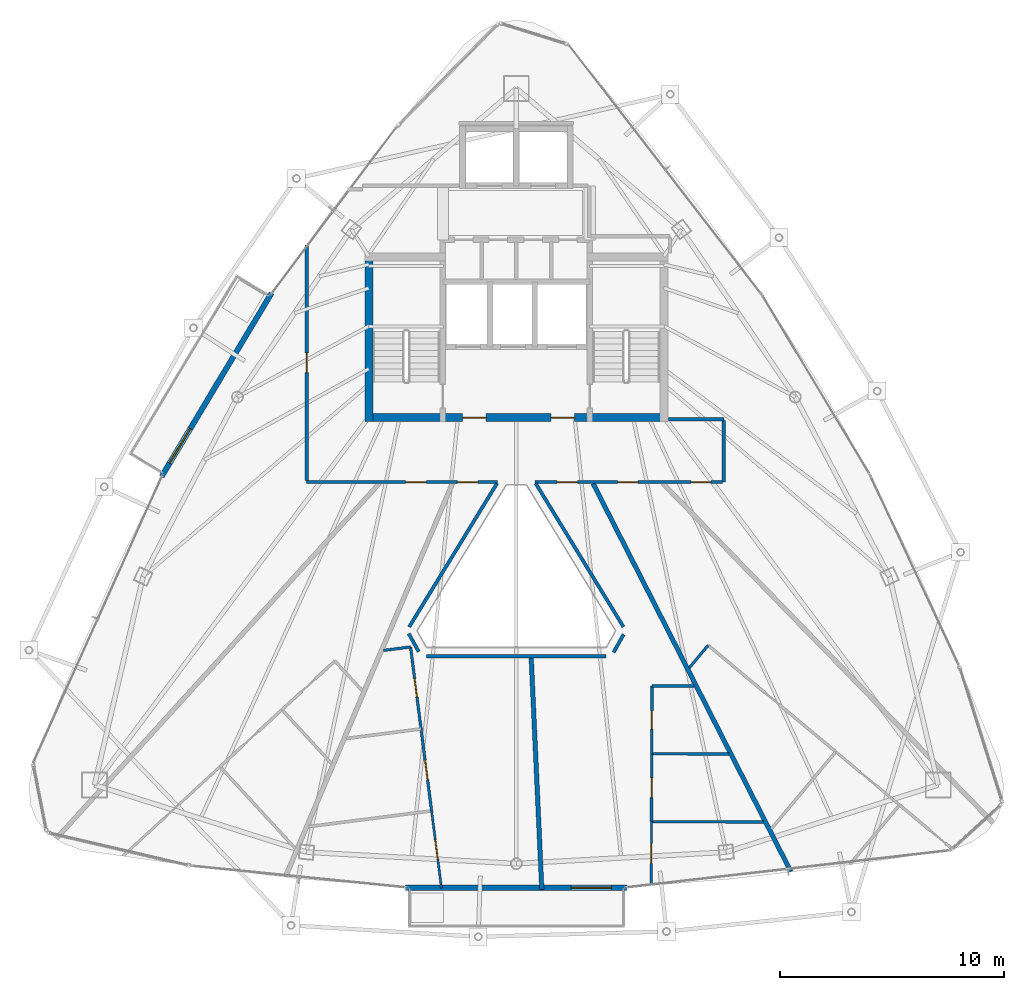
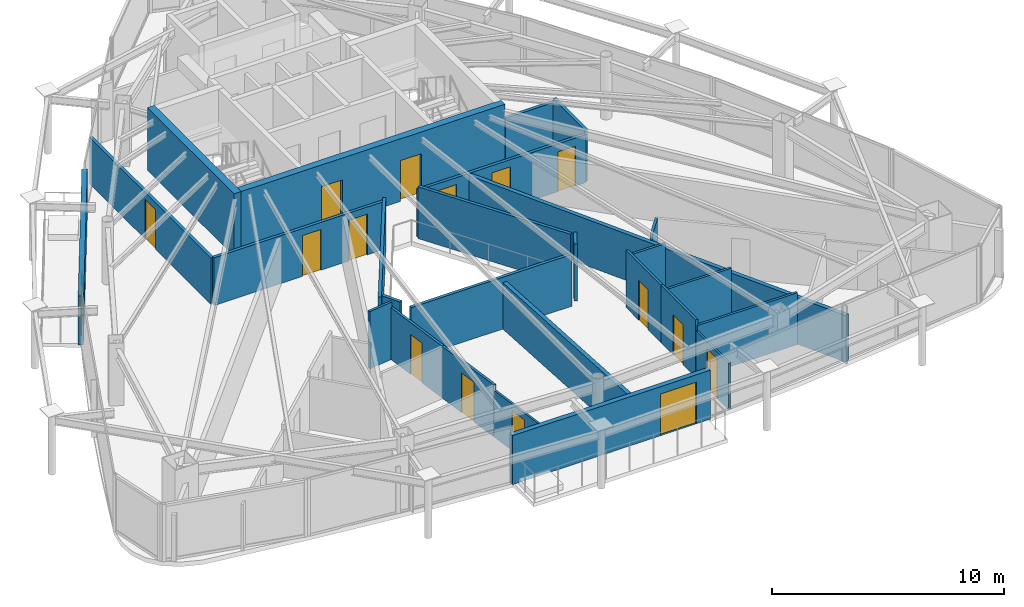
# One storey, part 26 of 30: 27 walls, 16 doors, 16 openings.
"""IFC4 building model written with IfcOpenShell, lengths in metres."""

import ifcopenshell
import ifcopenshell.guid

model = None  # the IFC model being written
_history = None  # IfcOwnerHistory: only IFC2X3 demands one
_inside = {}  # id of a spatial element -> (the spatial element, [elements in it])
_under = {}  # id of a project, library or spatial element -> (it, [spatial elements below it])
_declared = {}  # id of a project -> (the project, [libraries it declares])
_typed = {}  # id of a type object -> (the type object, [elements of that type])
_made_of = {}  # id of a material, layer set ... -> (it, [elements and type objects made of it])


def new_model(schema):
    """Start an empty IFC model of exactly this schema.

    Asked for "IFC4X3", IfcOpenShell would pick the latest addendum, in which some entities
    have other attributes; the version numbers below select the first issue.
    IFC2X3 requires an IfcOwnerHistory on every rooted entity: one is made here for all.
    """
    global model, _history
    if schema == "IFC4X3":
        model = ifcopenshell.file(schema_version=(4, 3, 0, 0))
    else:
        model = ifcopenshell.file(schema=schema)
    _inside.clear()
    _under.clear()
    _declared.clear()
    _typed.clear()
    _made_of.clear()
    _history = None
    if model.schema == "IFC2X3":
        org = make("IfcOrganization", Name="unknown")
        user = make(
            "IfcPersonAndOrganization",
            ThePerson=make("IfcPerson", FamilyName="unknown"),
            TheOrganization=org,
        )
        app = make(
            "IfcApplication",
            ApplicationDeveloper=org,
            Version="unknown",
            ApplicationFullName="unknown",
            ApplicationIdentifier="unknown",
        )
        _history = make(
            "IfcOwnerHistory",
            OwningUser=user,
            OwningApplication=app,
            ChangeAction="ADDED",
            CreationDate=0,
        )
    return model


def make(cls, **values):
    """One entity of the class cls with the attributes given. An attribute that is None is left unset."""
    return model.create_entity(
        cls, **{name: value for name, value in values.items() if value is not None}
    )


def rooted(cls, **values):
    """An entity with a GlobalId (a new one), such as an element, a storey or a relation."""
    return make(cls, GlobalId=ifcopenshell.guid.new(), OwnerHistory=_history, **values)


def si_unit(unit_type, name, prefix=None):
    """IfcSIUnit, for example si_unit("LENGTHUNIT", "METRE", prefix="MILLI")."""
    return make("IfcSIUnit", UnitType=unit_type, Prefix=prefix, Name=name)


def assignment(units):
    """IfcUnitAssignment: the units of a project."""
    return None if units is None else make("IfcUnitAssignment", Units=units)


def point(xyz):
    """IfcCartesianPoint."""
    return None if xyz is None else make("IfcCartesianPoint", Coordinates=xyz)


def direction(xyz):
    """IfcDirection."""
    return None if xyz is None else make("IfcDirection", DirectionRatios=xyz)


def frame(location, z_axis=None, x_axis=None):
    """IfcAxis2Placement3D, a coordinate frame: its origin and axes. An axis left out is left unset."""
    return make(
        "IfcAxis2Placement3D",
        Location=point(location),
        Axis=direction(z_axis),
        RefDirection=direction(x_axis),
    )


def frame_2d(location, x_axis=None):
    """IfcAxis2Placement2D, a coordinate frame in the plane: its origin and x axis."""
    return make(
        "IfcAxis2Placement2D", Location=point(location), RefDirection=direction(x_axis)
    )


def origin():
    """The frame at (0, 0, 0) with its axes left unset."""
    return frame((0.0, 0.0, 0.0))


def place(relative_to, where):
    """IfcLocalPlacement: puts the frame where relative to a parent placement (None: the world)."""
    return make(
        "IfcLocalPlacement", PlacementRelTo=relative_to, RelativePlacement=where
    )


def context(
    kind, dimensions, precision=None, world=None, true_north=None, identifier=None
):
    """IfcGeometricRepresentationContext, for example the 3D "Model" context."""
    return make(
        "IfcGeometricRepresentationContext",
        ContextIdentifier=identifier,
        ContextType=kind,
        CoordinateSpaceDimension=dimensions,
        Precision=precision,
        WorldCoordinateSystem=world,
        TrueNorth=true_north,
    )


def subcontext(parent, identifier, kind, view, scale=None):
    """IfcGeometricRepresentationSubContext, for example "Body" below "Model"."""
    return make(
        "IfcGeometricRepresentationSubContext",
        ContextIdentifier=identifier,
        ContextType=kind,
        ParentContext=parent,
        TargetScale=scale,
        TargetView=view,
    )


def project(units=None, contexts=None):
    """IfcProject with its units and contexts."""
    return rooted(
        "IfcProject",
        Name="project",
        RepresentationContexts=contexts,
        UnitsInContext=assignment(units),
    )


def spatial(cls, under=None, at=None, **own):
    """A site, building, storey or space (cls), placed at a placement, below another one or the project."""
    s = rooted(cls, ObjectPlacement=at, **own)
    if under is not None:
        _under.setdefault(under.id(), (under, []))[1].append(s)
    return s


def profile(cls, at=None, kind="AREA", **sizes):
    """A parametric profile (cls). Its sizes go by their IFC names, for example OverallWidth=200.0."""
    return make(cls, ProfileType=kind, Position=at, **sizes)


def rectangle(**sizes):
    """IfcRectangleProfileDef."""
    return profile("IfcRectangleProfileDef", **sizes)


def extrude(swept, where, along, depth):
    """IfcExtrudedAreaSolid: the profile swept, set in the frame where, extruded along a direction by depth."""
    return make(
        "IfcExtrudedAreaSolid",
        SweptArea=swept,
        Position=where,
        ExtrudedDirection=direction(along),
        Depth=depth,
    )


def shape(context_of_items, identifier, shape_type, items):
    """IfcShapeRepresentation: the items that make up one representation, for example the "Body"."""
    return make(
        "IfcShapeRepresentation",
        ContextOfItems=context_of_items,
        RepresentationIdentifier=identifier,
        RepresentationType=shape_type,
        Items=items,
    )


def material(Name=None, Category=None):
    """IfcMaterial."""
    return make("IfcMaterial", Name=Name, Category=Category)


def layer(
    of_material, thickness, ventilated=None, Name=None, Category=None, Priority=None
):
    """IfcMaterialLayer: one layer of a wall or slab, of a material (None: an air gap)."""
    return make(
        "IfcMaterialLayer",
        Material=of_material,
        LayerThickness=thickness,
        IsVentilated=ventilated,
        Name=Name,
        Category=Category,
        Priority=Priority,
    )


def layer_set(layers, Name=None):
    """IfcMaterialLayerSet."""
    return make("IfcMaterialLayerSet", MaterialLayers=layers, LayerSetName=Name)


def made_of(thing, what):
    """Note that an element or type object is made of a material, layer set ...; save() writes the relation."""
    if what is not None:
        _made_of.setdefault(what.id(), (what, []))[1].append(thing)
    return thing


def type_object(cls, material=None, **own):
    """A type object (cls), such as IfcWallType, which elements share."""
    return made_of(rooted(cls, **own), material)


def element(
    cls,
    number,
    at=None,
    inside=None,
    cuts=None,
    type_object=None,
    material=None,
    context=None,
    identifier="Body",
    shape_type=None,
    held_by="IfcProductDefinitionShape",
    body=None,
    shapes=None,
    **own,
):
    """One element of the class cls, such as IfcWall. Its Tag is "e" and its number.

    at: its placement. inside: the storey or other place that contains it. cuts: it is an
    opening in that element (IfcRelVoidsElement). A single representation is given by context,
    identifier, shape_type and body (its items); several are given by shapes. held_by: the class
    of the entity that holds the representations. save() writes the other relations.
    """
    e = rooted(cls, Tag="e%d" % number, ObjectPlacement=at, **own)
    if body is not None:
        shapes = [shape(context, identifier, shape_type, body)]
    if shapes is not None:
        e.Representation = make(held_by, Representations=shapes)
    if inside is not None:
        _inside.setdefault(inside.id(), (inside, []))[1].append(e)
    if cuts is not None:
        rooted(
            "IfcRelVoidsElement", RelatingBuildingElement=cuts, RelatedOpeningElement=e
        )
    if type_object is not None:
        _typed.setdefault(type_object.id(), (type_object, []))[1].append(e)
    return made_of(e, material)


def fill(opening, filler):
    """IfcRelFillsElement: the door or window that sits in an opening."""
    return rooted(
        "IfcRelFillsElement",
        RelatingOpeningElement=opening,
        RelatedBuildingElement=filler,
    )


def aggregate(whole, parts):
    """IfcRelAggregates: a whole, such as a stair, and the parts it consists of."""
    return rooted("IfcRelAggregates", RelatingObject=whole, RelatedObjects=parts)


def save(model, path):
    """Write the relations noted so far, then the file.

    IfcRelAggregates (storeys below a building ...), IfcRelContainedInSpatialStructure (elements
    in a storey), IfcRelDefinesByType, IfcRelAssociatesMaterial and IfcRelDeclares: one each for
    every whole, place, type object, material and project.
    """
    for whole, parts in _under.values():
        aggregate(whole, parts)
    for where, things in _inside.values():
        rooted(
            "IfcRelContainedInSpatialStructure",
            RelatedElements=things,
            RelatingStructure=where,
        )
    for kind, things in _typed.values():
        rooted("IfcRelDefinesByType", RelatedObjects=things, RelatingType=kind)
    for what, things in _made_of.values():
        rooted("IfcRelAssociatesMaterial", RelatedObjects=things, RelatingMaterial=what)
    for by, libraries in _declared.values():
        rooted("IfcRelDeclares", RelatingContext=by, RelatedDefinitions=libraries)
    model.write(path)


model = new_model("IFC4")

# Units and contexts
model_context = context("Model", 3, precision=1e-05, world=origin(), true_north=direction((0.0, 1.0)))
body_context = subcontext(model_context, "Body", "Model", "MODEL_VIEW")
ifc_project = project(units=[si_unit("LENGTHUNIT", "METRE"), si_unit("AREAUNIT", "SQUARE_METRE"), si_unit("VOLUMEUNIT", "CUBIC_METRE"), si_unit("PLANEANGLEUNIT", "RADIAN"), si_unit("MASSUNIT", "GRAM", prefix="KILO")], contexts=[model_context])

# Site, building, storey
site_placement = place(None, origin())
site = spatial("IfcSite", under=ifc_project, at=site_placement, CompositionType="ELEMENT")
building_placement = place(site_placement, origin())
building = spatial("IfcBuilding", under=site, at=building_placement, Name="Orvanel Arch Residences", CompositionType="ELEMENT")
storey_placement = place(building_placement, frame((0.0, 0.0, 273.35009765625)))
storey = spatial("IfcBuildingStorey", under=building, at=storey_placement, Name="L78", CompositionType="ELEMENT", Elevation=273.35009765625)

# Wall, opening, door
ifc_material_1 = material(Name="Precast concrete N50 (50 MPa)", Category="concrete")
ifc_layer_1 = layer(ifc_material_1, 0.239990234375)
ifc_layer_set_1 = layer_set([ifc_layer_1], Name="Precast concrete N50 (50 MPa)")
wall_type_1 = type_object("IfcWallType", Name="EW-BAL-240", PredefinedType="SOLIDWALL", material=ifc_layer_set_1)
wall_1_placement = place(storey_placement, frame((22.093994140625, 32.279052734375, 0.0), z_axis=(0.0, 0.0, 1.0), x_axis=(-0.514303866757, -0.857608029719, 0.0)))
wall_1 = element("IfcWall", 1, at=wall_1_placement, inside=storey, type_object=wall_type_1, Name="L78 Balcony Threshold Wall Face 1", PredefinedType="SOLIDWALL", context=body_context, shape_type="SweptSolid", body=[
    extrude(rectangle(XDim=9.54296875, YDim=0.239990234375, at=frame_2d((4.771484375, 0.0))), origin(), (0.0, 0.0, 1.0), 2.583984375),
])
opening_1_placement = place(wall_1_placement, frame((7.044921875, 0.0, 0.0)))
opening_1 = element("IfcOpeningElement", 2, at=opening_1_placement, cuts=wall_1, Name="Opening DB-180", PredefinedType="OPENING", context=body_context, shape_type="SweptSolid", body=[
    extrude(rectangle(XDim=1.800048828125, YDim=2.199951171875, at=frame_2d((0.89990234375, 1.10009765625))), frame((0.0, 0.1298828125, 0.0), z_axis=(0.0, -1.0, 0.0), x_axis=(1.0, 0.0, 0.0)), (0.0, 0.0, 1.0), 0.260009765625),
])
ifc_material_2 = material(Name="Bronze-anodised aluminium AA6063-T6", Category="aluminium")
door_type_1 = type_object("IfcDoorType", Name="DR-BAL-1800", OperationType="NOTDEFINED", PredefinedType="DOOR", material=ifc_material_2)
door_1_placement = place(opening_1_placement, origin())
door_1 = element("IfcDoor", 3, at=door_1_placement, inside=storey, type_object=door_type_1, Name="DR-L78-BAL-F1 L78 Planted Balcony Access Door Face 1", OperationType="SINGLE_SWING_LEFT", OverallHeight=2.199951171875, OverallWidth=1.800048828125, PredefinedType="DOOR", context=body_context, shape_type="SweptSolid", body=[
    extrude(rectangle(XDim=1.800048828125, YDim=2.199951171875, at=frame_2d((0.89990234375, 1.10009765625))), frame((0.0, 0.02490234375, 0.0), z_axis=(0.0, -1.0, 0.0), x_axis=(1.0, 0.0, 0.0)), (0.0, 0.0, 1.0), 0.050048828125),
])
fill(opening_1, door_1)

wall_2_placement = place(storey_placement, frame((28.06201171875, 5.77392578125, 0.0), z_axis=(0.0, 0.0, 1.0), x_axis=(1.0, 0.0, 0.0)))
wall_2 = element("IfcWall", 4, at=wall_2_placement, inside=storey, type_object=wall_type_1, Name="L78 Balcony Threshold Wall Face 2", PredefinedType="SOLIDWALL", context=body_context, shape_type="SweptSolid", body=[
    extrude(rectangle(XDim=9.8759765625, YDim=0.239990234375, at=frame_2d((4.93798828125, 0.0))), origin(), (0.0, 0.0, 1.0), 2.583984375),
])
opening_2_placement = place(wall_2_placement, frame((7.37890625, 0.0, 0.0)))
opening_2 = element("IfcOpeningElement", 5, at=opening_2_placement, cuts=wall_2, Name="Opening DB-180", PredefinedType="OPENING", context=body_context, shape_type="SweptSolid", body=[
    extrude(rectangle(XDim=1.800048828125, YDim=2.199951171875, at=frame_2d((0.89990234375, 1.10009765625))), frame((0.0, 0.1298828125, 0.0), z_axis=(0.0, -1.0, 0.0), x_axis=(1.0, 0.0, 0.0)), (0.0, 0.0, 1.0), 0.260009765625),
])
door_2_placement = place(opening_2_placement, origin())
door_2 = element("IfcDoor", 6, at=door_2_placement, inside=storey, type_object=door_type_1, Name="DR-L78-BAL-F2 L78 Planted Balcony Access Door Face 2", OperationType="SINGLE_SWING_RIGHT", OverallHeight=2.199951171875, OverallWidth=1.800048828125, PredefinedType="DOOR", context=body_context, shape_type="SweptSolid", body=[
    extrude(rectangle(XDim=1.800048828125, YDim=2.199951171875, at=frame_2d((0.89990234375, 1.10009765625))), frame((0.0, 0.02490234375, 0.0), z_axis=(0.0, -1.0, 0.0), x_axis=(1.0, 0.0, 0.0)), (0.0, 0.0, 1.0), 0.050048828125),
])
fill(opening_2, door_2)

# Wall, openings, doors
ifc_material_3 = material(Name="Concrete N50 (50 MPa)", Category="concrete")
ifc_layer_2 = layer(ifc_material_3, 0.35009765625)
ifc_layer_set_2 = layer_set([ifc_layer_2], Name="Concrete N50 (50 MPa)")
wall_type_2 = type_object("IfcWallType", Name="SW-CORE-350", PredefinedType="SHEAR", material=ifc_layer_set_2)
wall_3_placement = place(storey_placement, frame((26.25, 26.72509765625, 0.0), z_axis=(0.0, 0.0, 1.0), x_axis=(1.0, 0.0, 0.0)))
wall_3 = element("IfcWall", 7, at=wall_3_placement, inside=storey, type_object=wall_type_2, Name="L78 South Core Shear Wall", PredefinedType="SHEAR", context=body_context, shape_type="SweptSolid", body=[
    extrude(rectangle(XDim=13.5, YDim=0.35009765625, at=frame_2d((6.75, 0.0))), origin(), (0.0, 0.0, 1.0), 3.2998046875),
])
opening_3_placement = place(wall_3_placement, frame((4.35009765625, 0.0, 0.0)))
opening_3 = element("IfcOpeningElement", 8, at=opening_3_placement, cuts=wall_3, Name="Opening DF-060", PredefinedType="OPENING", context=body_context, shape_type="SweptSolid", body=[
    extrude(rectangle(XDim=1.050048828125, YDim=2.14990234375, at=frame_2d((0.52490234375, 1.074951171875))), frame((0.0, 0.18505859375, 0.0), z_axis=(0.0, -1.0, 0.0), x_axis=(1.0, 0.0, 0.0)), (0.0, 0.0, 1.0), 0.3701171875),
])
opening_4_placement = place(wall_3_placement, frame((8.300048828125, 0.0, 0.0)))
opening_4 = element("IfcOpeningElement", 9, at=opening_4_placement, cuts=wall_3, Name="Opening DF-060", PredefinedType="OPENING", context=body_context, shape_type="SweptSolid", body=[
    extrude(rectangle(XDim=1.050048828125, YDim=2.14990234375, at=frame_2d((0.52490234375, 1.074951171875))), frame((0.0, 0.18505859375, 0.0), z_axis=(0.0, -1.0, 0.0), x_axis=(1.0, 0.0, 0.0)), (0.0, 0.0, 1.0), 0.3701171875),
])
ifc_material_4 = material(Name="Galvanised steel fire-resisting door assembly", Category="steel")
door_type_2 = type_object("IfcDoorType", Name="DR-FD60-1050", OperationType="NOTDEFINED", PredefinedType="DOOR", material=ifc_material_4)
door_3_placement = place(opening_3_placement, origin())
door_3 = element("IfcDoor", 10, at=door_3_placement, inside=storey, type_object=door_type_2, Name="DR-L78-FFL-W L78 West Smoke Lobby Door", OperationType="SINGLE_SWING_LEFT", OverallHeight=2.14990234375, OverallWidth=1.050048828125, PredefinedType="DOOR", context=body_context, shape_type="SweptSolid", body=[
    extrude(rectangle(XDim=1.050048828125, YDim=2.14990234375, at=frame_2d((0.52490234375, 1.074951171875))), frame((0.0, 0.02490234375, 0.0), z_axis=(0.0, -1.0, 0.0), x_axis=(1.0, 0.0, 0.0)), (0.0, 0.0, 1.0), 0.050048828125),
])
fill(opening_3, door_3)
door_4_placement = place(opening_4_placement, origin())
door_4 = element("IfcDoor", 11, at=door_4_placement, inside=storey, type_object=door_type_2, Name="DR-L78-FFL-E L78 East Smoke Lobby Door", OperationType="SINGLE_SWING_RIGHT", OverallHeight=2.14990234375, OverallWidth=1.050048828125, PredefinedType="DOOR", context=body_context, shape_type="SweptSolid", body=[
    extrude(rectangle(XDim=1.050048828125, YDim=2.14990234375, at=frame_2d((0.52490234375, 1.074951171875))), frame((0.0, 0.02490234375, 0.0), z_axis=(0.0, -1.0, 0.0), x_axis=(1.0, 0.0, 0.0)), (0.0, 0.0, 1.0), 0.050048828125),
])
fill(opening_4, door_4)

# Wall
wall_4_placement = place(storey_placement, frame((26.425048828125, 26.550048828125, 0.0), z_axis=(0.0, 0.0, 1.0), x_axis=(0.0, 1.0, 0.0)))
element("IfcWall", 12, at=wall_4_placement, inside=storey, type_object=wall_type_2, Name="L78 West Stair Shear Wall", PredefinedType="SHEAR", context=body_context, shape_type="SweptSolid", body=[
    extrude(rectangle(XDim=7.5, YDim=0.35009765625, at=frame_2d((3.75, 0.0))), origin(), (0.0, 0.0, 1.0), 3.2998046875),
])

# Wall, openings, doors
ifc_material_5 = material(Name="Fire-rated plasterboard lined steel stud partition", Category="steel")
ifc_layer_3 = layer(ifc_material_5, 0.14990234375)
ifc_layer_set_3 = layer_set([ifc_layer_3], Name="Fire-rated plasterboard lined steel stud partition")
wall_type_3 = type_object("IfcWallType", Name="W-COR-150", PredefinedType="PARTITIONING", material=ifc_layer_set_3)
wall_5_placement = place(storey_placement, frame((32.16796875, 23.85009765625, 0.0), z_axis=(0.0, 0.0, 1.0), x_axis=(-1.0, 0.0, 0.0)))
wall_5 = element("IfcWall", 13, at=wall_5_placement, inside=storey, type_object=wall_type_3, Name="L78 Corridor Fire-Rated Partition", PredefinedType="PARTITIONING", context=body_context, shape_type="SweptSolid", body=[
    extrude(rectangle(XDim=8.51806640625, YDim=0.14990234375, at=frame_2d((4.259033203125, 0.0))), origin(), (0.0, 0.0, 1.0), 2.52490234375),
])
opening_5_placement = place(wall_5_placement, frame((3.18310546875, 0.0, 0.0)))
opening_5 = element("IfcOpeningElement", 14, at=opening_5_placement, cuts=wall_5, Name="Opening DA-092", PredefinedType="OPENING", context=body_context, shape_type="SweptSolid", body=[
    extrude(rectangle(XDim=0.919921875, YDim=2.14990234375, at=frame_2d((0.4599609375, 1.074951171875))), frame((0.0, 0.0849609375, 0.0), z_axis=(0.0, -1.0, 0.0), x_axis=(1.0, 0.0, 0.0)), (0.0, 0.0, 1.0), 0.169921875),
])
opening_6_placement = place(wall_5_placement, frame((0.882080078125, 0.0, 0.0)))
opening_6 = element("IfcOpeningElement", 15, at=opening_6_placement, cuts=wall_5, Name="Opening DA-092", PredefinedType="OPENING", context=body_context, shape_type="SweptSolid", body=[
    extrude(rectangle(XDim=0.919921875, YDim=2.14990234375, at=frame_2d((0.4599609375, 1.074951171875))), frame((0.0, 0.0849609375, 0.0), z_axis=(0.0, -1.0, 0.0), x_axis=(1.0, 0.0, 0.0)), (0.0, 0.0, 1.0), 0.169921875),
])
ifc_material_6 = material(Name="Solid-core European oak veneer fire door leaf", Category="wood")
door_type_3 = type_object("IfcDoorType", Name="DR-APT-920", OperationType="NOTDEFINED", PredefinedType="DOOR", material=ifc_material_6)
door_5_placement = place(opening_5_placement, origin())
door_5 = element("IfcDoor", 16, at=door_5_placement, inside=storey, type_object=door_type_3, Name="DR-L78-A-ENT L78 Studio A Entrance Door", OperationType="SINGLE_SWING_RIGHT", OverallHeight=2.14990234375, OverallWidth=0.919921875, PredefinedType="DOOR", context=body_context, shape_type="SweptSolid", body=[
    extrude(rectangle(XDim=0.919921875, YDim=2.14990234375, at=frame_2d((0.4599609375, 1.074951171875))), frame((0.0, 0.02490234375, 0.0), z_axis=(0.0, -1.0, 0.0), x_axis=(1.0, 0.0, 0.0)), (0.0, 0.0, 1.0), 0.050048828125),
])
fill(opening_5, door_5)
door_6_placement = place(opening_6_placement, origin())
door_6 = element("IfcDoor", 17, at=door_6_placement, inside=storey, type_object=door_type_3, Name="DR-L78-D-ENT L78 Studio D Entrance Door", OperationType="SINGLE_SWING_LEFT", OverallHeight=2.14990234375, OverallWidth=0.919921875, PredefinedType="DOOR", context=body_context, shape_type="SweptSolid", body=[
    extrude(rectangle(XDim=0.919921875, YDim=2.14990234375, at=frame_2d((0.4599609375, 1.074951171875))), frame((0.0, 0.02490234375, 0.0), z_axis=(0.0, -1.0, 0.0), x_axis=(1.0, 0.0, 0.0)), (0.0, 0.0, 1.0), 0.050048828125),
])
fill(opening_6, door_6)

# Wall, opening, door
wall_6_placement = place(storey_placement, frame((23.64990234375, 23.909912109375, 0.0), z_axis=(0.0, 0.0, 1.0), x_axis=(0.0, 1.0, 0.0)))
wall_6 = element("IfcWall", 18, at=wall_6_placement, inside=storey, type_object=wall_type_3, Name="L78 Corridor Fire-Rated Partition", PredefinedType="PARTITIONING", context=body_context, shape_type="SweptSolid", body=[
    extrude(rectangle(XDim=10.509033203125, YDim=0.14990234375, at=frame_2d((5.25439453125, 0.0))), origin(), (0.0, 0.0, 1.0), 2.451904296875),
])
opening_7_placement = place(wall_6_placement, frame((4.81396484375, 0.0, 0.0)))
opening_7 = element("IfcOpeningElement", 19, at=opening_7_placement, cuts=wall_6, Name="Opening DI-088", PredefinedType="OPENING", context=body_context, shape_type="SweptSolid", body=[
    extrude(rectangle(XDim=0.8798828125, YDim=2.10009765625, at=frame_2d((0.43994140625, 1.050048828125))), frame((0.0, 0.0849609375, 0.0), z_axis=(0.0, -1.0, 0.0), x_axis=(1.0, 0.0, 0.0)), (0.0, 0.0, 1.0), 0.169921875),
])
door_type_4 = type_object("IfcDoorType", Name="DR-INT-880", OperationType="NOTDEFINED", PredefinedType="DOOR", material=ifc_material_6)
door_7_placement = place(opening_7_placement, origin())
door_7 = element("IfcDoor", 20, at=door_7_placement, inside=storey, type_object=door_type_4, Name="DR-L78-CAR26-2 L78 Allied Health Consulting Suite 2 Door", OperationType="SINGLE_SWING_LEFT", OverallHeight=2.10009765625, OverallWidth=0.8798828125, PredefinedType="DOOR", context=body_context, shape_type="SweptSolid", body=[
    extrude(rectangle(XDim=0.8798828125, YDim=2.10009765625, at=frame_2d((0.43994140625, 1.050048828125))), frame((0.0, 0.02490234375, 0.0), z_axis=(0.0, -1.0, 0.0), x_axis=(1.0, 0.0, 0.0)), (0.0, 0.0, 1.0), 0.050048828125),
])
fill(opening_7, door_7)

# Walls
wall_7_placement = place(storey_placement, frame((39.7900390625, 26.64990234375, 0.0), z_axis=(0.0, 0.0, 1.0), x_axis=(1.0, 0.0, 0.0)))
element("IfcWall", 21, at=wall_7_placement, inside=storey, type_object=wall_type_3, Name="L78 Corridor Fire-Rated Partition", PredefinedType="PARTITIONING", context=body_context, shape_type="SweptSolid", body=[
    extrude(rectangle(XDim=2.4599609375, YDim=0.14990234375, at=frame_2d((1.22998046875, 0.0))), origin(), (0.0, 0.0, 1.0), 2.52490234375),
])
wall_8_placement = place(storey_placement, frame((42.25, 26.590087890625, 0.0), z_axis=(0.0, 0.0, 1.0), x_axis=(0.0, -1.0, 0.0)))
element("IfcWall", 22, at=wall_8_placement, inside=storey, type_object=wall_type_3, Name="L78 Corridor Fire-Rated Partition", PredefinedType="PARTITIONING", context=body_context, shape_type="SweptSolid", body=[
    extrude(rectangle(XDim=2.739990234375, YDim=0.14990234375, at=frame_2d((1.3701171875, 0.0))), origin(), (0.0, 0.0, 1.0), 2.73291015625),
])

# Wall, openings, doors
wall_9_placement = place(storey_placement, frame((42.18994140625, 23.85009765625, 0.0), z_axis=(0.0, 0.0, 1.0), x_axis=(-1.0, 0.0, 0.0)))
wall_9 = element("IfcWall", 23, at=wall_9_placement, inside=storey, type_object=wall_type_3, Name="L78 Corridor Fire-Rated Partition", PredefinedType="PARTITIONING", context=body_context, shape_type="SweptSolid", body=[
    extrude(rectangle(XDim=8.35791015625, YDim=0.14990234375, at=frame_2d((4.178955078125, 0.0))), origin(), (0.0, 0.0, 1.0), 2.52490234375),
])
opening_8_placement = place(wall_9_placement, frame((0.52001953125, 0.0, 0.0)))
opening_8 = element("IfcOpeningElement", 24, at=opening_8_placement, cuts=wall_9, Name="Opening DI-088", PredefinedType="OPENING", context=body_context, shape_type="SweptSolid", body=[
    extrude(rectangle(XDim=0.8798828125, YDim=2.10009765625, at=frame_2d((0.43994140625, 1.050048828125))), frame((0.0, 0.0849609375, 0.0), z_axis=(0.0, -1.0, 0.0), x_axis=(1.0, 0.0, 0.0)), (0.0, 0.0, 1.0), 0.169921875),
])
opening_9_placement = place(wall_9_placement, frame((3.757080078125, 0.0, 0.0)))
opening_9 = element("IfcOpeningElement", 25, at=opening_9_placement, cuts=wall_9, Name="Opening DA-092", PredefinedType="OPENING", context=body_context, shape_type="SweptSolid", body=[
    extrude(rectangle(XDim=0.919921875, YDim=2.14990234375, at=frame_2d((0.4599609375, 1.074951171875))), frame((0.0, 0.0849609375, 0.0), z_axis=(0.0, -1.0, 0.0), x_axis=(1.0, 0.0, 0.0)), (0.0, 0.0, 1.0), 0.169921875),
])
opening_10_placement = place(wall_9_placement, frame((6.4560546875, 0.0, 0.0)))
opening_10 = element("IfcOpeningElement", 26, at=opening_10_placement, cuts=wall_9, Name="Opening DA-092", PredefinedType="OPENING", context=body_context, shape_type="SweptSolid", body=[
    extrude(rectangle(XDim=0.919921875, YDim=2.14990234375, at=frame_2d((0.4599609375, 1.074951171875))), frame((0.0, 0.0849609375, 0.0), z_axis=(0.0, -1.0, 0.0), x_axis=(1.0, 0.0, 0.0)), (0.0, 0.0, 1.0), 0.169921875),
])
door_8_placement = place(opening_9_placement, origin())
door_8 = element("IfcDoor", 27, at=door_8_placement, inside=storey, type_object=door_type_3, Name="DR-L78-B-ENT L78 Studio B Entrance Door", OperationType="SINGLE_SWING_LEFT", OverallHeight=2.14990234375, OverallWidth=0.919921875, PredefinedType="DOOR", context=body_context, shape_type="SweptSolid", body=[
    extrude(rectangle(XDim=0.919921875, YDim=2.14990234375, at=frame_2d((0.4599609375, 1.074951171875))), frame((0.0, 0.02490234375, 0.0), z_axis=(0.0, -1.0, 0.0), x_axis=(1.0, 0.0, 0.0)), (0.0, 0.0, 1.0), 0.050048828125),
])
fill(opening_9, door_8)
door_9_placement = place(opening_10_placement, origin())
door_9 = element("IfcDoor", 28, at=door_9_placement, inside=storey, type_object=door_type_3, Name="DR-L78-C-ENT L78 Studio C Entrance Door", OperationType="SINGLE_SWING_RIGHT", OverallHeight=2.14990234375, OverallWidth=0.919921875, PredefinedType="DOOR", context=body_context, shape_type="SweptSolid", body=[
    extrude(rectangle(XDim=0.919921875, YDim=2.14990234375, at=frame_2d((0.4599609375, 1.074951171875))), frame((0.0, 0.02490234375, 0.0), z_axis=(0.0, -1.0, 0.0), x_axis=(1.0, 0.0, 0.0)), (0.0, 0.0, 1.0), 0.050048828125),
])
fill(opening_10, door_9)
door_10_placement = place(opening_8_placement, origin())
door_10 = element("IfcDoor", 29, at=door_10_placement, inside=storey, type_object=door_type_4, Name="DR-L78-CAR26-1 L78 Allied Health Consulting Suite 1 Door", OperationType="SINGLE_SWING_LEFT", OverallHeight=2.10009765625, OverallWidth=0.8798828125, PredefinedType="DOOR", context=body_context, shape_type="SweptSolid", body=[
    extrude(rectangle(XDim=0.8798828125, YDim=2.10009765625, at=frame_2d((0.43994140625, 1.050048828125))), frame((0.0, 0.02490234375, 0.0), z_axis=(0.0, -1.0, 0.0), x_axis=(1.0, 0.0, 0.0)), (0.0, 0.0, 1.0), 0.050048828125),
])
fill(opening_8, door_10)

# Walls
wall_10_placement = place(storey_placement, frame((33.863037109375, 23.7900390625, 0.0), z_axis=(0.0, 0.0, 1.0), x_axis=(0.521913594497, -0.852998358661, 0.0)))
element("IfcWall", 30, at=wall_10_placement, inside=storey, type_object=wall_type_3, Name="L78 Atrium Overlook Glazed Partition", PredefinedType="PARTITIONING", context=body_context, shape_type="SweptSolid", body=[
    extrude(rectangle(XDim=7.4970703125, YDim=0.14990234375, at=frame_2d((3.74853515625, 0.0))), origin(), (0.0, 0.0, 1.0), 2.73291015625),
])
wall_11_placement = place(storey_placement, frame((37.781982421875, 17.05908203125, 0.0), z_axis=(0.0, 0.0, 1.0), x_axis=(-0.489033415255, -0.872265050752, 0.0)))
element("IfcWall", 31, at=wall_11_placement, inside=storey, type_object=wall_type_3, Name="L78 Atrium Overlook Glazed Partition", PredefinedType="PARTITIONING", context=body_context, shape_type="SweptSolid", body=[
    extrude(rectangle(XDim=0.916015625, YDim=0.14990234375, at=frame_2d((0.4580078125, 0.0))), origin(), (0.0, 0.0, 1.0), 3.02001953125),
])
wall_12_placement = place(storey_placement, frame((37.006103515625, 16.087890625, 0.0), z_axis=(0.0, 0.0, 1.0), x_axis=(-1.0, 0.0, 0.0)))
element("IfcWall", 32, at=wall_12_placement, inside=storey, type_object=wall_type_3, Name="L78 Atrium Overlook Glazed Partition", PredefinedType="PARTITIONING", context=body_context, shape_type="SweptSolid", body=[
    extrude(rectangle(XDim=8.01220703125, YDim=0.14990234375, at=frame_2d((4.006103515625, 0.0))), origin(), (0.0, 0.0, 1.0), 2.73291015625),
])
wall_13_placement = place(storey_placement, frame((28.64599609375, 16.2919921875, 0.0), z_axis=(0.0, 0.0, 1.0), x_axis=(-0.482133469033, 0.876097778811, 0.0)))
element("IfcWall", 33, at=wall_13_placement, inside=storey, type_object=wall_type_3, Name="L78 Atrium Overlook Glazed Partition", PredefinedType="PARTITIONING", context=body_context, shape_type="SweptSolid", body=[
    extrude(rectangle(XDim=0.91650390625, YDim=0.14990234375, at=frame_2d((0.458251953125, 0.0))), origin(), (0.0, 0.0, 1.0), 3.02001953125),
])
wall_14_placement = place(storey_placement, frame((28.22412109375, 17.39501953125, 0.0), z_axis=(0.0, 0.0, 1.0), x_axis=(0.521913594497, 0.852998358661, 0.0)))
element("IfcWall", 34, at=wall_14_placement, inside=storey, type_object=wall_type_3, Name="L78 Atrium Overlook Glazed Partition", PredefinedType="PARTITIONING", context=body_context, shape_type="SweptSolid", body=[
    extrude(rectangle(XDim=7.4970703125, YDim=0.14990234375, at=frame_2d((3.74853515625, 0.0))), origin(), (0.0, 0.0, 1.0), 2.73291015625),
])
ifc_layer_4 = layer(ifc_material_5, 0.199951171875)
ifc_layer_set_4 = layer_set([ifc_layer_4], Name="Fire-rated plasterboard lined steel stud partition")
wall_type_4 = type_object("IfcWallType", Name="W-DEM-200", PredefinedType="PARTITIONING", material=ifc_layer_set_4)
wall_15_placement = place(storey_placement, frame((45.236083984375, 6.486083984375, 0.0), z_axis=(0.0, 0.0, 1.0), x_axis=(-0.454004119661, 0.890999584361, 0.0)))
element("IfcWall", 35, at=wall_15_placement, inside=storey, type_object=wall_type_4, Name="L78 Inter-Tenancy Acoustic Demising Wall", PredefinedType="PARTITIONING", context=body_context, shape_type="SweptSolid", body=[
    extrude(rectangle(XDim=19.4208984375, YDim=0.199951171875, at=frame_2d((9.71044921875, 0.0))), origin(), (0.0, 0.0, 1.0), 2.451904296875),
])
wall_16_placement = place(storey_placement, frame((34.135009765625, 5.68408203125, 0.0), z_axis=(0.0, 0.0, 1.0), x_axis=(-0.045669685987, 0.998956595545, 0.0)))
element("IfcWall", 36, at=wall_16_placement, inside=storey, type_object=wall_type_4, Name="L78 Inter-Tenancy Acoustic Demising Wall", PredefinedType="PARTITIONING", context=body_context, shape_type="SweptSolid", body=[
    extrude(rectangle(XDim=10.354736328125, YDim=0.199951171875, at=frame_2d((5.17724609375, 0.0))), origin(), (0.0, 0.0, 1.0), 2.451904296875),
])

# Wall, opening, door
ifc_material_7 = material(Name="Acoustic plasterboard lined twin-stud partition", Category="gypsum")
ifc_layer_5 = layer(ifc_material_7, 0.10009765625)
ifc_layer_set_5 = layer_set([ifc_layer_5], Name="Acoustic plasterboard lined twin-stud partition")
wall_type_5 = type_object("IfcWallType", Name="W-INT-100", PredefinedType="PARTITIONING", material=ifc_layer_set_5)
wall_17_placement = place(storey_placement, frame((39.02392578125, 8.715087890625, 0.0), z_axis=(0.0, 0.0, 1.0), x_axis=(-0.003534460681, -0.999993753774, 0.0)))
wall_17 = element("IfcWall", 37, at=wall_17_placement, inside=storey, type_object=wall_type_5, Name="L78 Studio C Internal Partition", PredefinedType="PARTITIONING", context=body_context, shape_type="SweptSolid", body=[
    extrude(rectangle(XDim=2.83203125, YDim=0.10009765625, at=frame_2d((1.416015625, 0.0))), origin(), (0.0, 0.0, 1.0), 2.451904296875),
])
opening_11_placement = place(wall_17_placement, frame((0.97607421875, 0.0, 0.0)))
opening_11 = element("IfcOpeningElement", 38, at=opening_11_placement, cuts=wall_17, Name="Opening DI-088", PredefinedType="OPENING", context=body_context, shape_type="SweptSolid", body=[
    extrude(rectangle(XDim=0.8798828125, YDim=2.10009765625, at=frame_2d((0.43994140625, 1.050048828125))), frame((0.0, 0.06005859375, 0.0), z_axis=(0.0, -1.0, 0.0), x_axis=(1.0, 0.0, 0.0)), (0.0, 0.0, 1.0), 0.1201171875),
])
door_11_placement = place(opening_11_placement, origin())
door_11 = element("IfcDoor", 39, at=door_11_placement, inside=storey, type_object=door_type_4, Name="DR-L78-C-RET1 L78 Studio C Atelier Craft Showroom 1 Door", OperationType="SINGLE_SWING_LEFT", OverallHeight=2.10009765625, OverallWidth=0.8798828125, PredefinedType="DOOR", context=body_context, shape_type="SweptSolid", body=[
    extrude(rectangle(XDim=0.8798828125, YDim=2.10009765625, at=frame_2d((0.43994140625, 1.050048828125))), frame((0.0, 0.02490234375, 0.0), z_axis=(0.0, -1.0, 0.0), x_axis=(1.0, 0.0, 0.0)), (0.0, 0.0, 1.0), 0.050048828125),
])
fill(opening_11, door_11)

wall_18_placement = place(storey_placement, frame((29.6640625, 5.74609375, 0.0), z_axis=(0.0, 0.0, 1.0), x_axis=(-0.127153688826, 0.991883027084, 0.0)))
wall_18 = element("IfcWall", 40, at=wall_18_placement, inside=storey, type_object=wall_type_5, Name="L78 Studio D Internal Partition", PredefinedType="PARTITIONING", context=body_context, shape_type="SweptSolid", body=[
    extrude(rectangle(XDim=3.477294921875, YDim=0.10009765625, at=frame_2d((1.73876953125, 0.0))), origin(), (0.0, 0.0, 1.0), 2.451904296875),
])
opening_12_placement = place(wall_18_placement, frame((1.299072265625, 0.0, 0.0)))
opening_12 = element("IfcOpeningElement", 41, at=opening_12_placement, cuts=wall_18, Name="Opening DI-088", PredefinedType="OPENING", context=body_context, shape_type="SweptSolid", body=[
    extrude(rectangle(XDim=0.8798828125, YDim=2.10009765625, at=frame_2d((0.43994140625, 1.050048828125))), frame((0.0, 0.06005859375, 0.0), z_axis=(0.0, -1.0, 0.0), x_axis=(1.0, 0.0, 0.0)), (0.0, 0.0, 1.0), 0.1201171875),
])
door_12_placement = place(opening_12_placement, origin())
door_12 = element("IfcDoor", 42, at=door_12_placement, inside=storey, type_object=door_type_4, Name="DR-L78-D-RET1 L78 Studio D Atelier Craft Showroom 2 Door", OperationType="SINGLE_SWING_LEFT", OverallHeight=2.10009765625, OverallWidth=0.8798828125, PredefinedType="DOOR", context=body_context, shape_type="SweptSolid", body=[
    extrude(rectangle(XDim=0.8798828125, YDim=2.10009765625, at=frame_2d((0.43994140625, 1.050048828125))), frame((0.0, 0.02490234375, 0.0), z_axis=(0.0, -1.0, 0.0), x_axis=(1.0, 0.0, 0.0)), (0.0, 0.0, 1.0), 0.050048828125),
])
fill(opening_12, door_12)

# Walls
ifc_layer_6 = layer(ifc_material_7, 0.1201171875)
ifc_layer_set_6 = layer_set([ifc_layer_6], Name="Acoustic plasterboard lined twin-stud partition")
wall_type_6 = type_object("IfcWallType", Name="W-WET-120", PredefinedType="PARTITIONING", material=ifc_layer_set_6)
wall_19_placement = place(storey_placement, frame((41.549072265625, 16.575927734375, 0.0), z_axis=(0.0, 0.0, 1.0), x_axis=(-0.640858814593, -0.767658765181, 0.0)))
element("IfcWall", 43, at=wall_19_placement, inside=storey, type_object=wall_type_6, Name="L78 Studio B Bathroom Partition", PredefinedType="PARTITIONING", context=body_context, shape_type="SweptSolid", body=[
    extrude(rectangle(XDim=1.31689453125, YDim=0.1201171875, at=frame_2d((0.658447265625, 0.0))), origin(), (0.0, 0.0, 1.0), 2.73291015625),
])
wall_20_placement = place(storey_placement, frame((40.926025390625, 14.757080078125, 0.0), z_axis=(0.0, 0.0, 1.0), x_axis=(-0.999993390212, 0.00363586741, 0.0)))
element("IfcWall", 44, at=wall_20_placement, inside=storey, type_object=wall_type_6, Name="L78 Studio C Bathroom Partition", PredefinedType="PARTITIONING", context=body_context, shape_type="SweptSolid", body=[
    extrude(rectangle(XDim=1.880126953125, YDim=0.1201171875, at=frame_2d((0.93994140625, 0.0))), origin(), (0.0, 0.0, 1.0), 2.73291015625),
])

# Wall, opening, door
wall_21_placement = place(storey_placement, frame((39.0458984375, 14.763916015625, 0.0), z_axis=(0.0, 0.0, 1.0), x_axis=(-0.003633110206, -0.999993400233, 0.0)))
wall_21 = element("IfcWall", 45, at=wall_21_placement, inside=storey, type_object=wall_type_6, Name="L78 Studio C Bathroom Partition", PredefinedType="PARTITIONING", context=body_context, shape_type="SweptSolid", body=[
    extrude(rectangle(XDim=3.02392578125, YDim=0.1201171875, at=frame_2d((1.511962890625, 0.0))), origin(), (0.0, 0.0, 1.0), 3.02001953125),
])
opening_13_placement = place(wall_21_placement, frame((1.10205078125, 0.0, 0.0)))
opening_13 = element("IfcOpeningElement", 46, at=opening_13_placement, cuts=wall_21, Name="Opening DW-082", PredefinedType="OPENING", context=body_context, shape_type="SweptSolid", body=[
    extrude(rectangle(XDim=0.820068359375, YDim=2.10009765625, at=frame_2d((0.41015625, 1.050048828125))), frame((0.0, 0.070068359375, 0.0), z_axis=(0.0, -1.0, 0.0), x_axis=(1.0, 0.0, 0.0)), (0.0, 0.0, 1.0), 0.14013671875),
])
door_type_5 = type_object("IfcDoorType", Name="DR-WET-820", OperationType="NOTDEFINED", PredefinedType="DOOR", material=ifc_material_6)
door_13_placement = place(opening_13_placement, origin())
door_13 = element("IfcDoor", 47, at=door_13_placement, inside=storey, type_object=door_type_5, Name="DR-L78-C-BATH L78 Studio C Bathroom Door", OperationType="SINGLE_SWING_RIGHT", OverallHeight=2.10009765625, OverallWidth=0.820068359375, PredefinedType="DOOR", context=body_context, shape_type="SweptSolid", body=[
    extrude(rectangle(XDim=0.820068359375, YDim=2.10009765625, at=frame_2d((0.41015625, 1.050048828125))), frame((0.0, 0.02490234375, 0.0), z_axis=(0.0, -1.0, 0.0), x_axis=(1.0, 0.0, 0.0)), (0.0, 0.0, 1.0), 0.050048828125),
])
fill(opening_13, door_13)

wall_22_placement = place(storey_placement, frame((39.034912109375, 11.739990234375, 0.0), z_axis=(0.0, 0.0, 1.0), x_axis=(-0.003631937304, -0.999993404494, 0.0)))
wall_22 = element("IfcWall", 48, at=wall_22_placement, inside=storey, type_object=wall_type_6, Name="L78 Studio C Internal Partition", PredefinedType="PARTITIONING", context=body_context, shape_type="SweptSolid", body=[
    extrude(rectangle(XDim=3.02490234375, YDim=0.1201171875, at=frame_2d((1.512451171875, 0.0))), origin(), (0.0, 0.0, 1.0), 3.02001953125),
])
opening_14_placement = place(wall_22_placement, frame((1.072998046875, 0.0, 0.0)))
opening_14 = element("IfcOpeningElement", 49, at=opening_14_placement, cuts=wall_22, Name="Opening DI-088", PredefinedType="OPENING", context=body_context, shape_type="SweptSolid", body=[
    extrude(rectangle(XDim=0.8798828125, YDim=2.10009765625, at=frame_2d((0.43994140625, 1.050048828125))), frame((0.0, 0.070068359375, 0.0), z_axis=(0.0, -1.0, 0.0), x_axis=(1.0, 0.0, 0.0)), (0.0, 0.0, 1.0), 0.14013671875),
])
door_14_placement = place(opening_14_placement, origin())
door_14 = element("IfcDoor", 50, at=door_14_placement, inside=storey, type_object=door_type_4, Name="DR-L78-C-KIT L78 Studio C Kitchenette Door", OperationType="SINGLE_SWING_LEFT", OverallHeight=2.10009765625, OverallWidth=0.8798828125, PredefinedType="DOOR", context=body_context, shape_type="SweptSolid", body=[
    extrude(rectangle(XDim=0.8798828125, YDim=2.10009765625, at=frame_2d((0.43994140625, 1.050048828125))), frame((0.0, 0.02490234375, 0.0), z_axis=(0.0, -1.0, 0.0), x_axis=(1.0, 0.0, 0.0)), (0.0, 0.0, 1.0), 0.050048828125),
])
fill(opening_14, door_14)

# Walls
wall_23_placement = place(storey_placement, frame((42.469970703125, 11.72705078125, 0.0), z_axis=(0.0, 0.0, 1.0), x_axis=(-0.999992905383, 0.003766853162, 0.0)))
element("IfcWall", 51, at=wall_23_placement, inside=storey, type_object=wall_type_6, Name="L78 Studio C Bathroom Partition", PredefinedType="PARTITIONING", context=body_context, shape_type="SweptSolid", body=[
    extrude(rectangle(XDim=3.43505859375, YDim=0.1201171875, at=frame_2d((1.717529296875, 0.0))), origin(), (0.0, 0.0, 1.0), 2.73291015625),
])
wall_24_placement = place(storey_placement, frame((44.013916015625, 8.697021484375, 0.0), z_axis=(0.0, 0.0, 1.0), x_axis=(-0.999993445948, 0.003620505651, 0.0)))
element("IfcWall", 52, at=wall_24_placement, inside=storey, type_object=wall_type_6, Name="L78 Studio C Internal Partition", PredefinedType="PARTITIONING", context=body_context, shape_type="SweptSolid", body=[
    extrude(rectangle(XDim=4.989990234375, YDim=0.1201171875, at=frame_2d((2.4951171875, 0.0))), origin(), (0.0, 0.0, 1.0), 2.73291015625),
])

# Wall, opening, door
wall_25_placement = place(storey_placement, frame((28.7529296875, 12.847900390625, 0.0), z_axis=(0.0, 0.0, 1.0), x_axis=(-0.127077358501, 0.991892809207, 0.0)))
wall_25 = element("IfcWall", 53, at=wall_25_placement, inside=storey, type_object=wall_type_6, Name="L78 Studio D Bathroom Partition", PredefinedType="PARTITIONING", context=body_context, shape_type="SweptSolid", body=[
    extrude(rectangle(XDim=3.682861328125, YDim=0.1201171875, at=frame_2d((1.84130859375, 0.0))), origin(), (0.0, 0.0, 1.0), 2.73291015625),
])
opening_15_placement = place(wall_25_placement, frame((1.430908203125, 0.0, 0.0)))
opening_15 = element("IfcOpeningElement", 54, at=opening_15_placement, cuts=wall_25, Name="Opening DW-082", PredefinedType="OPENING", context=body_context, shape_type="SweptSolid", body=[
    extrude(rectangle(XDim=0.820068359375, YDim=2.10009765625, at=frame_2d((0.41015625, 1.050048828125))), frame((0.0, 0.070068359375, 0.0), z_axis=(0.0, -1.0, 0.0), x_axis=(1.0, 0.0, 0.0)), (0.0, 0.0, 1.0), 0.14013671875),
])
door_15_placement = place(opening_15_placement, origin())
door_15 = element("IfcDoor", 55, at=door_15_placement, inside=storey, type_object=door_type_5, Name="DR-L78-D-BATH L78 Studio D Bathroom Door", OperationType="SINGLE_SWING_RIGHT", OverallHeight=2.10009765625, OverallWidth=0.820068359375, PredefinedType="DOOR", context=body_context, shape_type="SweptSolid", body=[
    extrude(rectangle(XDim=0.820068359375, YDim=2.10009765625, at=frame_2d((0.41015625, 1.050048828125))), frame((0.0, 0.02490234375, 0.0), z_axis=(0.0, -1.0, 0.0), x_axis=(1.0, 0.0, 0.0)), (0.0, 0.0, 1.0), 0.050048828125),
])
fill(opening_15, door_15)

# Wall
wall_26_placement = place(storey_placement, frame((28.284912109375, 16.5009765625, 0.0), z_axis=(0.0, 0.0, 1.0), x_axis=(-0.991859459137, -0.127337399535, 0.0)))
element("IfcWall", 56, at=wall_26_placement, inside=storey, type_object=wall_type_6, Name="L78 Studio D Bathroom Partition", PredefinedType="PARTITIONING", context=body_context, shape_type="SweptSolid", body=[
    extrude(rectangle(XDim=1.209716796875, YDim=0.1201171875, at=frame_2d((0.60498046875, 0.0))), origin(), (0.0, 0.0, 1.0), 3.02001953125),
])

# Wall, opening, door
wall_27_placement = place(storey_placement, frame((29.221923828125, 9.195068359375, 0.0), z_axis=(0.0, 0.0, 1.0), x_axis=(-0.127346594916, 0.991858278568, 0.0)))
wall_27 = element("IfcWall", 57, at=wall_27_placement, inside=storey, type_object=wall_type_6, Name="L78 Studio D Internal Partition", PredefinedType="PARTITIONING", context=body_context, shape_type="SweptSolid", body=[
    extrude(rectangle(XDim=3.682861328125, YDim=0.1201171875, at=frame_2d((1.84130859375, 0.0))), origin(), (0.0, 0.0, 1.0), 2.73291015625),
])
opening_16_placement = place(wall_27_placement, frame((1.40087890625, 0.0, 0.0)))
opening_16 = element("IfcOpeningElement", 58, at=opening_16_placement, cuts=wall_27, Name="Opening DI-088", PredefinedType="OPENING", context=body_context, shape_type="SweptSolid", body=[
    extrude(rectangle(XDim=0.8798828125, YDim=2.10009765625, at=frame_2d((0.43994140625, 1.050048828125))), frame((0.0, 0.070068359375, 0.0), z_axis=(0.0, -1.0, 0.0), x_axis=(1.0, 0.0, 0.0)), (0.0, 0.0, 1.0), 0.14013671875),
])
door_16_placement = place(opening_16_placement, origin())
door_16 = element("IfcDoor", 59, at=door_16_placement, inside=storey, type_object=door_type_4, Name="DR-L78-D-KIT L78 Studio D Kitchenette Door", OperationType="SINGLE_SWING_LEFT", OverallHeight=2.10009765625, OverallWidth=0.8798828125, PredefinedType="DOOR", context=body_context, shape_type="SweptSolid", body=[
    extrude(rectangle(XDim=0.8798828125, YDim=2.10009765625, at=frame_2d((0.43994140625, 1.050048828125))), frame((0.0, 0.02490234375, 0.0), z_axis=(0.0, -1.0, 0.0), x_axis=(1.0, 0.0, 0.0)), (0.0, 0.0, 1.0), 0.050048828125),
])
fill(opening_16, door_16)

save(model, "model.ifc")
